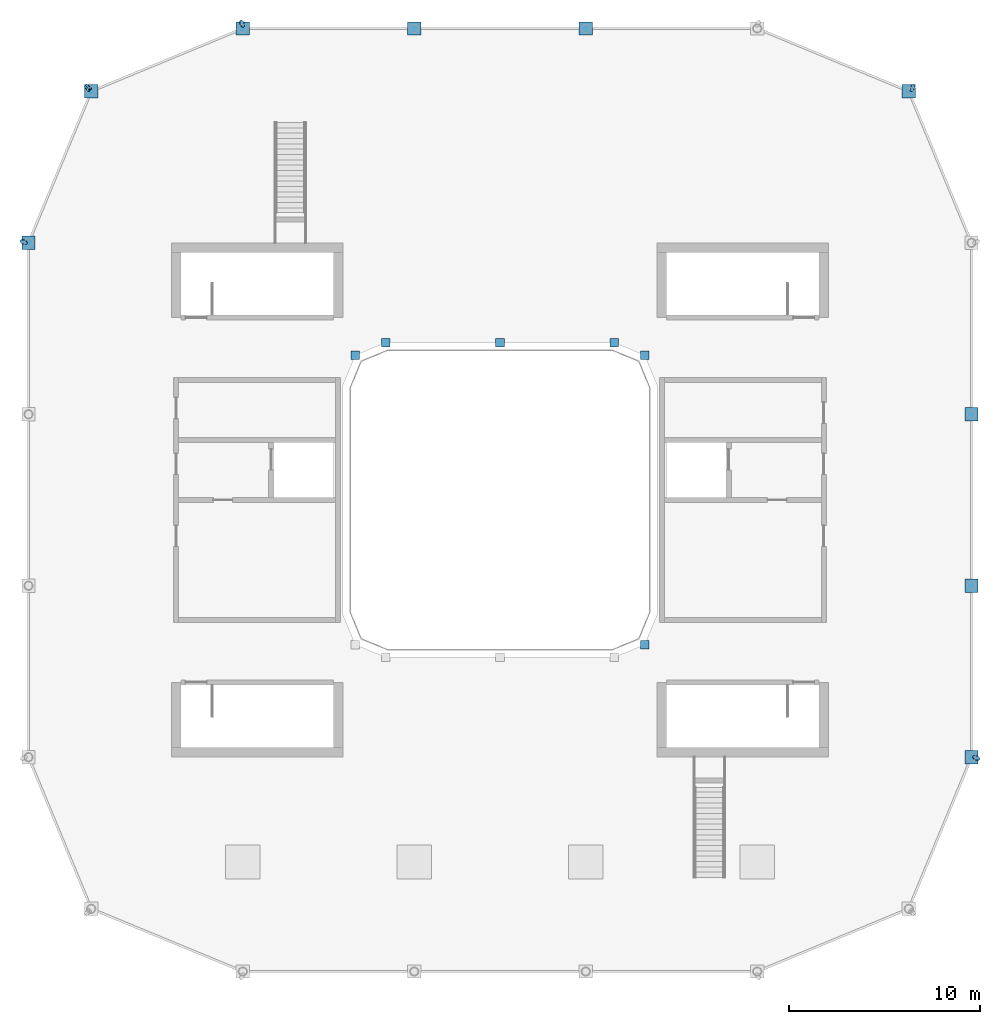
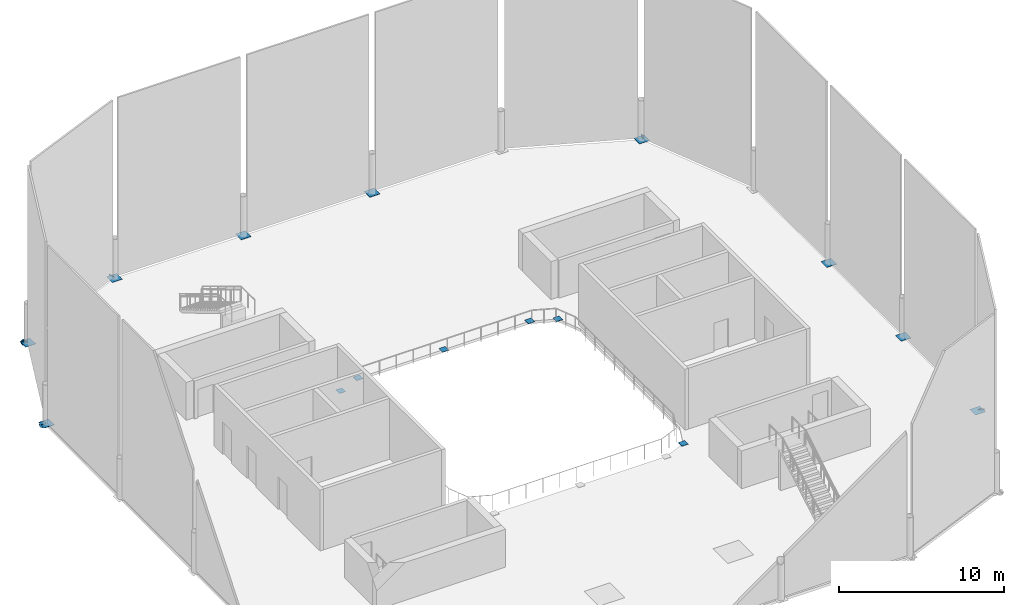
# One storey, part 6 of 8: 21 discrete accessories.
"""IFC4 building model written with IfcOpenShell, lengths in metres."""

from ifc_helpers import new_model, si_unit, direction, frame, origin, origin_2d, place, context, subcontext, project, spatial, rectangle, circle, extrude, material, layer, layer_set, type_object, element, save


model = new_model("IFC4")

# Units and contexts
model_context = context("Model", 3, precision=1e-05, world=origin(), true_north=direction((0.0, 1.0)))
body_context = subcontext(model_context, "Body", "Model", "MODEL_VIEW")
ifc_project = project(units=[si_unit("LENGTHUNIT", "METRE"), si_unit("AREAUNIT", "SQUARE_METRE"), si_unit("VOLUMEUNIT", "CUBIC_METRE"), si_unit("PLANEANGLEUNIT", "RADIAN"), si_unit("MASSUNIT", "GRAM", prefix="KILO")], contexts=[model_context])

# Site, building, storey
site_placement = place(None, origin())
site = spatial("IfcSite", under=ifc_project, at=site_placement, CompositionType="ELEMENT")
building_placement = place(site_placement, origin())
building = spatial("IfcBuilding", under=site, at=building_placement, Name="Siwar Civic Tower", CompositionType="ELEMENT")
storey_placement = place(building_placement, frame((0.0, 0.0, 358.199951171875)))
storey = spatial("IfcBuildingStorey", under=building, at=storey_placement, Name="ROOF", CompositionType="ELEMENT", Elevation=358.199951171875)

# Discrete accessories
ifc_material = material(Name="Steel S355", Category="steel")
ifc_layer = layer(ifc_material, 0.02001953125)
ifc_layer_set = layer_set([ifc_layer], Name="Steel S355")
discrete_accessory_type = type_object("IfcDiscreteAccessoryType", Name="STR-END-CAP", PredefinedType="USERDEFINED", material=ifc_layer_set)
for number, where, z_axis, x_axis, name in (
    (1, (24.75, -13.5, 0.0), (0.0, 0.0, 1.0), (1.0, 0.0, 0.0), "End cap plate L76 col E-0"),
    (2, (24.75, -4.5, 0.0), (0.0, 0.0, 1.0), (1.0, 0.0, 0.0), "End cap plate L76 col E-1"),
    (3, (24.75, 4.5, 0.0), (0.0, 0.0, 1.0), (1.0, 0.0, 0.0), "End cap plate L76 col E-2"),
    (4, (21.454833984375, 21.454833984375, 0.0), (0.0, 0.0, 1.0), (1.0, 0.0, 0.0), "End cap plate L76 col NE2-0"),
    (5, (4.5, 24.75, 0.0), (0.0, 0.0, 1.0), (1.0, 0.0, 0.0), "End cap plate L76 col N-1"),
    (6, (-4.5, 24.75, 0.0), (0.0, 0.0, 1.0), (1.0, 0.0, 0.0), "End cap plate L76 col N-2"),
    (7, (-13.5, 24.75, 0.0), (0.0, 0.0, 1.0), (1.0, 0.0, 0.0), "End cap plate L76 col NW1-0"),
    (8, (-21.454833984375, 21.454833984375, 0.0), (0.0, 0.0, 1.0), (1.0, 0.0, 0.0), "End cap plate L76 col NW2-0"),
    (9, (-24.75, 13.5, 0.0), (0.0, 0.0, 1.0), (1.0, 0.0, 0.0), "End cap plate L76 col W-0"),
):
    element("IfcDiscreteAccessory", number, at=place(storey_placement, frame(where, z_axis=z_axis, x_axis=x_axis)), inside=storey, type_object=discrete_accessory_type, Name=name, ObjectType="END CAP PLATE", PredefinedType="USERDEFINED", context=body_context, shape_type="SweptSolid", body=[
        extrude(rectangle(XDim=0.699951171875, YDim=0.699951171875, at=origin_2d()), origin(), (0.0, 0.0, 1.0), 0.02001953125),
    ])
for number, where, z_axis, x_axis, name in (
    (10, (7.591064453125, -7.591064453125, 0.0), (0.0, 0.0, 1.0), (1.0, 0.0, 0.0), "End cap plate L76 col IS-4"),
    (11, (-7.591064453125, 7.591064453125, 0.0), (0.0, 0.0, 1.0), (1.0, 0.0, 0.0), "End cap plate L76 col IN-0"),
    (12, (-6.0, 8.25, 0.0), (0.0, 0.0, 1.0), (1.0, 0.0, 0.0), "End cap plate L76 col IN-1"),
    (13, (0.0, 8.25, 0.0), (0.0, 0.0, 1.0), (1.0, 0.0, 0.0), "End cap plate L76 col IN-2"),
    (14, (6.0, 8.25, 0.0), (0.0, 0.0, 1.0), (1.0, 0.0, 0.0), "End cap plate L76 col IN-3"),
    (15, (7.591064453125, 7.591064453125, 0.0), (0.0, 0.0, 1.0), (1.0, 0.0, 0.0), "End cap plate L76 col IN-4"),
):
    element("IfcDiscreteAccessory", number, at=place(storey_placement, frame(where, z_axis=z_axis, x_axis=x_axis)), inside=storey, type_object=discrete_accessory_type, Name=name, ObjectType="END CAP PLATE", PredefinedType="USERDEFINED", context=body_context, shape_type="SweptSolid", body=[
        extrude(rectangle(XDim=0.449951171875, YDim=0.449951171875, at=origin_2d()), origin(), (0.0, 0.0, 1.0), 0.02001953125),
    ])
discrete_accessory_1_placement = place(storey_placement, frame((24.9951171875, -13.548828125, 0.0), z_axis=(0.339026781363, 0.799134556069, 0.49643207271), x_axis=(-0.920581781875, 0.390549846856, 0.0)))
element("IfcDiscreteAccessory", 16, at=discrete_accessory_1_placement, inside=storey, type_object=discrete_accessory_type, Name="End cap plate L76 brc DSE1-15-0-1", ObjectType="END CAP PLATE", PredefinedType="USERDEFINED", context=body_context, shape_type="SweptSolid", body=[
    extrude(circle(Radius=0.203125, at=origin_2d()), origin(), (0.0, 0.0, 1.0), 0.020263671875),
])
discrete_accessory_2_placement = place(storey_placement, frame((21.6318359375, 21.6318359375, 0.0), z_axis=(0.794694665491, -0.34233000975, 0.501268942848), x_axis=(0.395623896042, 0.918412615811, 0.0)))
element("IfcDiscreteAccessory", 17, at=discrete_accessory_2_placement, inside=storey, type_object=discrete_accessory_type, Name="End cap plate L76 brc DNE1-15-0-1", ObjectType="END CAP PLATE", PredefinedType="USERDEFINED", context=body_context, shape_type="SweptSolid", body=[
    extrude(circle(Radius=0.203125, at=origin_2d()), origin(), (0.0, 0.0, 1.0), 0.02001953125),
])
discrete_accessory_3_placement = place(storey_placement, frame((-24.9951171875, 13.548828125, 0.0), z_axis=(-0.339026781363, -0.799134556069, 0.49643207271), x_axis=(0.920581781875, -0.390549846856, 0.0)))
element("IfcDiscreteAccessory", 18, at=discrete_accessory_3_placement, inside=storey, type_object=discrete_accessory_type, Name="End cap plate L76 brc DNW1-15-0-1", ObjectType="END CAP PLATE", PredefinedType="USERDEFINED", context=body_context, shape_type="SweptSolid", body=[
    extrude(circle(Radius=0.203125, at=origin_2d()), origin(), (0.0, 0.0, 1.0), 0.020263671875),
])
discrete_accessory_4_placement = place(storey_placement, frame((-21.6318359375, 21.6318359375, 0.0), z_axis=(0.34233000975, 0.794694665491, 0.501268942848), x_axis=(-0.918412615811, 0.395623896042, 0.0)))
element("IfcDiscreteAccessory", 19, at=discrete_accessory_4_placement, inside=storey, type_object=discrete_accessory_type, Name="End cap plate L76 brc DNW1-15-0-3", ObjectType="END CAP PLATE", PredefinedType="USERDEFINED", context=body_context, shape_type="SweptSolid", body=[
    extrude(circle(Radius=0.203125, at=origin_2d()), origin(), (0.0, 0.0, 1.0), 0.02001953125),
])
discrete_accessory_5_placement = place(storey_placement, frame((-13.548828125, 24.9951171875, 0.0), z_axis=(0.799134556069, 0.339026781363, 0.49643207271), x_axis=(-0.390549846856, 0.920581781875, 0.0)))
element("IfcDiscreteAccessory", 20, at=discrete_accessory_5_placement, inside=storey, type_object=discrete_accessory_type, Name="End cap plate L76 brc DNW1-15-0-0", ObjectType="END CAP PLATE", PredefinedType="USERDEFINED", context=body_context, shape_type="SweptSolid", body=[
    extrude(circle(Radius=0.203125, at=origin_2d()), origin(), (0.0, 0.0, 1.0), 0.020263671875),
])
discrete_accessory_6_placement = place(storey_placement, frame((-21.6318359375, 21.6318359375, 0.0), z_axis=(-0.794694665491, -0.34233000975, 0.501268942848), x_axis=(0.395623896042, -0.918412615811, 0.0)))
element("IfcDiscreteAccessory", 21, at=discrete_accessory_6_placement, inside=storey, type_object=discrete_accessory_type, Name="End cap plate L76 brc DNW1-15-0-5", ObjectType="END CAP PLATE", PredefinedType="USERDEFINED", context=body_context, shape_type="SweptSolid", body=[
    extrude(circle(Radius=0.203125, at=origin_2d()), origin(), (0.0, 0.0, 1.0), 0.02001953125),
])

save(model, "model.ifc")
